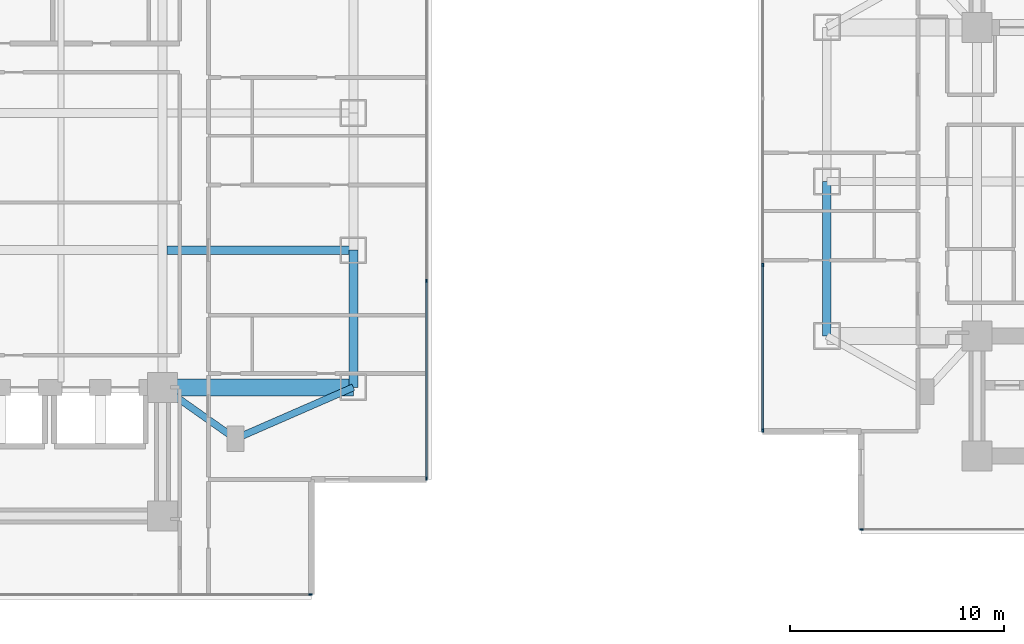
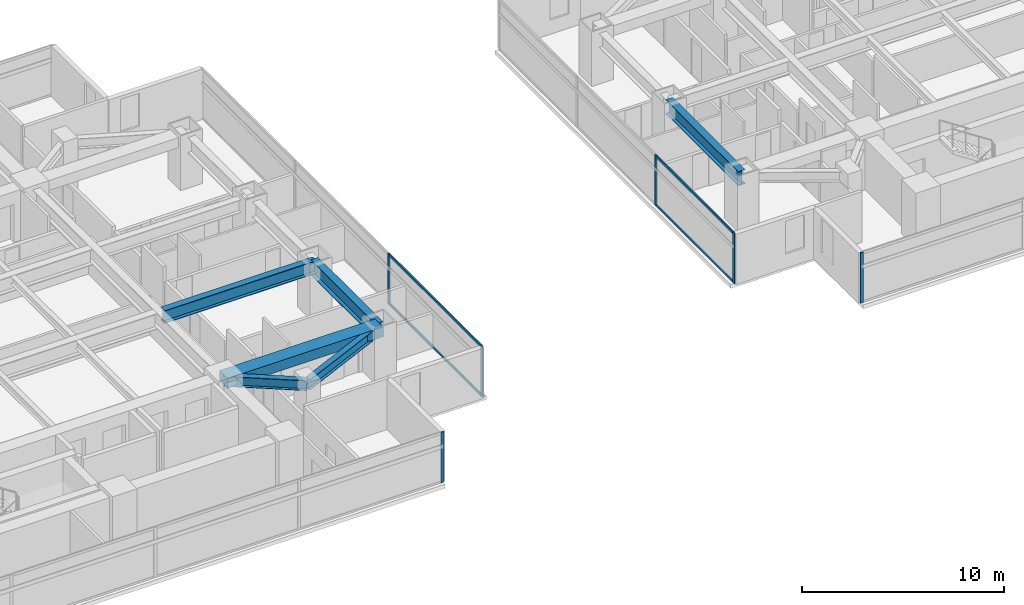
# One storey, part 5 of 25: 10 members, 6 beams, 4 elements without a shape of their own.
"""IFC4 building model written with IfcOpenShell, lengths in metres."""

from ifc_helpers import new_model, si_unit, direction, frame, origin, origin_2d, place, context, subcontext, project, spatial, rectangle, i_section, extrude, material, material_profile, profile_set, type_object, element, aggregate, save


model = new_model("IFC4")

# Units and contexts
model_context = context("Model", 3, precision=1e-05, world=origin(), true_north=direction((0.0, 1.0)))
body_context = subcontext(model_context, "Body", "Model", "MODEL_VIEW")
ifc_project = project(units=[si_unit("LENGTHUNIT", "METRE"), si_unit("AREAUNIT", "SQUARE_METRE"), si_unit("VOLUMEUNIT", "CUBIC_METRE"), si_unit("PLANEANGLEUNIT", "RADIAN"), si_unit("MASSUNIT", "GRAM", prefix="KILO")], contexts=[model_context])

# Site, building, storey
site_placement = place(None, origin())
site = spatial("IfcSite", under=ifc_project, at=site_placement, CompositionType="ELEMENT")
building_placement = place(site_placement, origin())
building = spatial("IfcBuilding", under=site, at=building_placement, Name="Mirazonda Arch Towers", CompositionType="ELEMENT")
storey_placement = place(building_placement, frame((0.0, 0.0, 32.300048828125)))
storey = spatial("IfcBuildingStorey", under=building, at=storey_placement, Name="L08", CompositionType="ELEMENT", Elevation=32.300048828125)

# Beams
ifc_material_1 = material(Name="Steel ASTM A992 Grade 50", Category="steel")
ifc_material_profile_1 = material_profile(ifc_material_1, i_section(OverallWidth=0.39990234375, OverallDepth=0.85595703125, WebThickness=0.018310546875, FlangeThickness=0.029296875, at=origin_2d()), Name="W33X201")
ifc_profile_set_1 = profile_set([ifc_material_profile_1], Name="Steel ASTM A992 Grade 50")
beam_type_1 = type_object("IfcBeamType", Name="BM-EXT-W33X201", PredefinedType="USERDEFINED", material=ifc_profile_set_1)
beam_1_placement = place(storey_placement, frame((61.0, 20.800048828125, 2.6318359375), z_axis=(0.0, 1.0, 0.0), x_axis=(-1.0, 0.0, 0.0)))
element("IfcBeam", 1, at=beam_1_placement, inside=storey, type_object=beam_type_1, Name="L08 Floor Beam BM-T2-L08-NS-W-20", ObjectType="GIRDER", PredefinedType="USERDEFINED", context=body_context, shape_type="SweptSolid", body=[
    extrude(i_section(OverallWidth=0.39990234375, OverallDepth=0.85595703125, WebThickness=0.018310546875, FlangeThickness=0.029296875, at=origin_2d()), origin(), (0.0, 0.0, 1.0), 7.199951171875),
])
ifc_material_profile_2 = material_profile(ifc_material_1, i_section(OverallWidth=0.41796875, OverallDepth=0.927001953125, WebThickness=0.019287109375, FlangeThickness=0.031982421875, at=origin_2d()), Name="W36X231")
ifc_profile_set_2 = profile_set([ifc_material_profile_2], Name="Steel ASTM A992 Grade 50")
beam_type_2 = type_object("IfcBeamType", Name="BM-EXT-W36X231", PredefinedType="USERDEFINED", material=ifc_profile_set_2)
beam_2_placement = place(storey_placement, frame((38.89990234375, 18.39990234375, 2.596435546875), z_axis=(0.0, 1.0, 0.0), x_axis=(-1.0, 0.0, 0.0)))
element("IfcBeam", 2, at=beam_2_placement, inside=storey, type_object=beam_type_2, Name="L08 Floor Beam BM-T1-L08-NS-E-18", ObjectType="GIRDER", PredefinedType="USERDEFINED", context=body_context, shape_type="SweptSolid", body=[
    extrude(i_section(OverallWidth=0.41796875, OverallDepth=0.927001953125, WebThickness=0.019287109375, FlangeThickness=0.031982421875, at=origin_2d()), origin(), (0.0, 0.0, 1.0), 6.400146484375),
])
ifc_material_profile_3 = material_profile(ifc_material_1, i_section(OverallWidth=0.324951171875, OverallDepth=0.615966796875, WebThickness=0.013916015625, FlangeThickness=0.021484375, at=origin_2d()), Name="W24X117")
ifc_profile_set_3 = profile_set([ifc_material_profile_3], Name="Steel ASTM A992 Grade 50")
beam_type_3 = type_object("IfcBeamType", Name="BM-INT-W24X117", PredefinedType="BEAM", material=ifc_profile_set_3)
beam_3_placement = place(storey_placement, frame((33.39990234375, 16.0, 2.751953125), z_axis=(-0.816971114901, 0.576678591087, 0.0), x_axis=(-0.576678591087, -0.816971114901, 0.0)))
element("IfcBeam", 3, at=beam_3_placement, inside=storey, type_object=beam_type_3, Name="L08 Floor Beam BM-T1-L08-PL-SE1", PredefinedType="BEAM", context=body_context, shape_type="SweptSolid", body=[
    extrude(i_section(OverallWidth=0.324951171875, OverallDepth=0.615966796875, WebThickness=0.013916015625, FlangeThickness=0.021484375, at=origin_2d()), origin(), (0.0, 0.0, 1.0), 4.16162109375),
])
beam_4_placement = place(storey_placement, frame((33.39990234375, 16.0, 2.751953125), z_axis=(0.916545343703, 0.399930785183, 0.0), x_axis=(-0.399930785183, 0.916545343703, 0.0)))
element("IfcBeam", 4, at=beam_4_placement, inside=storey, type_object=beam_type_3, Name="L08 Floor Beam BM-T1-L08-PL-SE2", PredefinedType="BEAM", context=body_context, shape_type="SweptSolid", body=[
    extrude(i_section(OverallWidth=0.324951171875, OverallDepth=0.615966796875, WebThickness=0.013916015625, FlangeThickness=0.021484375, at=origin_2d()), origin(), (0.0, 0.0, 1.0), 6.000732421875),
])
ifc_material_profile_4 = material_profile(ifc_material_1, i_section(OverallWidth=0.381103515625, OverallDepth=0.77294921875, WebThickness=0.0166015625, FlangeThickness=0.027099609375, at=origin_2d()), Name="W30X173")
ifc_profile_set_4 = profile_set([ifc_material_profile_4], Name="Steel ASTM A992 Grade 50")
beam_type_4 = type_object("IfcBeamType", Name="BM-INT-W30X173", PredefinedType="USERDEFINED", material=ifc_profile_set_4)
beam_5_placement = place(storey_placement, frame((30.21142578125, 24.800048828125, 2.67333984375), z_axis=(1.0, 0.0, 0.0), x_axis=(0.0, 1.0, 0.0)))
element("IfcBeam", 5, at=beam_5_placement, inside=storey, type_object=beam_type_4, Name="L08 Floor Beam BM-T1-L08-GE2", ObjectType="GIRDER", PredefinedType="USERDEFINED", context=body_context, shape_type="SweptSolid", body=[
    extrude(i_section(OverallWidth=0.381103515625, OverallDepth=0.77294921875, WebThickness=0.0166015625, FlangeThickness=0.027099609375, at=origin_2d()), origin(), (0.0, 0.0, 1.0), 8.6884765625),
])
ifc_material_2 = material(Name="Concrete C60/75", Category="concrete")
ifc_material_profile_5 = material_profile(ifc_material_2, rectangle(XDim=0.800048828125, YDim=0.60009765625, at=origin_2d()), Name="RCCB800x600")
ifc_profile_set_5 = profile_set([ifc_material_profile_5], Name="Concrete C60/75")
beam_type_5 = type_object("IfcBeamType", Name="CB-INT-RCCB800x600", PredefinedType="SPANDREL", material=ifc_profile_set_5)
beam_6_placement = place(storey_placement, frame((30.0, 18.39990234375, 2.760009765625), z_axis=(1.0, 0.0, 0.0), x_axis=(0.0, 1.0, 0.0)))
element("IfcBeam", 6, at=beam_6_placement, inside=storey, type_object=beam_type_5, Name="L08 Floor Beam CBC-T1-L08-SE", PredefinedType="SPANDREL", context=body_context, shape_type="SweptSolid", body=[
    extrude(rectangle(XDim=0.800048828125, YDim=0.60009765625, at=origin_2d()), origin(), (0.0, 0.0, 1.0), 8.89990234375),
])

# Curtain wall, member
ifc_material_3 = material(Name="Anodised Aluminium and Low-E Glass", Category="aluminium")
curtain_wall_type = type_object("IfcCurtainWallType", Name="CW-HTL-UNIT", PredefinedType="NOTDEFINED", material=ifc_material_3)
curtain_wall_1_placement = place(storey_placement, origin())
curtain_wall_1 = element("IfcCurtainWall", 7, at=curtain_wall_1_placement, inside=storey, type_object=curtain_wall_type, Name="L08 T1 S Facade CW-L08-T1-S", PredefinedType="NOTDEFINED")
ifc_material_4 = material(Name="Anodised Aluminium Alloy", Category="aluminium")
ifc_material_profile_6 = material_profile(ifc_material_4, rectangle(XDim=0.074951171875, YDim=0.1650390625, at=origin_2d()), Name="ALU-MULL-75x165")
ifc_profile_set_6 = profile_set([ifc_material_profile_6], Name="Anodised Aluminium Alloy")
member_type_1 = type_object("IfcMemberType", Name="MULL-CW-HTL-UNIT", PredefinedType="MULLION", material=ifc_profile_set_6)
member_1_placement = place(storey_placement, frame((36.902587890625, 8.72607421875, 0.0), z_axis=(0.0, 0.0, 1.0), x_axis=(0.0, -1.0, 0.0)))
member_1 = element("IfcMember", 8, at=member_1_placement, type_object=member_type_1, Name="CW-112 mullion 1", PredefinedType="MULLION", context=body_context, shape_type="SweptSolid", body=[
    extrude(rectangle(XDim=0.074951171875, YDim=0.1650390625, at=origin_2d()), origin(), (0.0, 0.0, 1.0), 3.0400390625),
])
aggregate(curtain_wall_1, [member_1])

# Curtain wall, members
curtain_wall_2_placement = place(storey_placement, origin())
curtain_wall_2 = element("IfcCurtainWall", 9, at=curtain_wall_2_placement, inside=storey, type_object=curtain_wall_type, Name="L08 T1 E Facade CW-L08-T1-E", PredefinedType="NOTDEFINED")
member_2_placement = place(storey_placement, frame((42.320068359375, 14.1435546875, 0.0), z_axis=(0.0, 0.0, 1.0), x_axis=(-1.0, 0.0, 0.0)))
member_2 = element("IfcMember", 10, at=member_2_placement, type_object=member_type_1, Name="CW-112 mullion 1", PredefinedType="MULLION", context=body_context, shape_type="SweptSolid", body=[
    extrude(rectangle(XDim=0.074951171875, YDim=0.1650390625, at=origin_2d()), origin(), (0.0, 0.0, 1.0), 3.0400390625),
])
member_3_placement = place(storey_placement, frame((42.320068359375, 23.36865234375, 0.0), z_axis=(0.0, 0.0, 1.0), x_axis=(-1.0, 0.0, 0.0)))
member_3 = element("IfcMember", 11, at=member_3_placement, type_object=member_type_1, Name="CW-112 mullion 2", PredefinedType="MULLION", context=body_context, shape_type="SweptSolid", body=[
    extrude(rectangle(XDim=0.074951171875, YDim=0.1650390625, at=origin_2d()), origin(), (0.0, 0.0, 1.0), 3.0400390625),
])

# Curtain wall, member
curtain_wall_3_placement = place(storey_placement, origin())
curtain_wall_3 = element("IfcCurtainWall", 12, at=curtain_wall_3_placement, inside=storey, type_object=curtain_wall_type, Name="L08 T2 S Facade CW-L08-T2-S", PredefinedType="NOTDEFINED")
member_4_placement = place(storey_placement, frame((62.62353515625, 11.77001953125, 0.0), z_axis=(0.0, 0.0, 1.0), x_axis=(0.0, -1.0, 0.0)))
member_4 = element("IfcMember", 13, at=member_4_placement, type_object=member_type_1, Name="CW-112 mullion 4", PredefinedType="MULLION", context=body_context, shape_type="SweptSolid", body=[
    extrude(rectangle(XDim=0.074951171875, YDim=0.1650390625, at=origin_2d()), origin(), (0.0, 0.0, 1.0), 3.0400390625),
])
aggregate(curtain_wall_3, [member_4])

# Curtain wall, members
curtain_wall_4_placement = place(storey_placement, origin())
curtain_wall_4 = element("IfcCurtainWall", 14, at=curtain_wall_4_placement, inside=storey, type_object=curtain_wall_type, Name="L08 T2 W Facade CW-L08-T2-W", PredefinedType="NOTDEFINED")
member_5_placement = place(storey_placement, frame((58.006103515625, 24.11669921875, 0.0), z_axis=(0.0, 0.0, 1.0), x_axis=(1.0, 0.0, 0.0)))
member_5 = element("IfcMember", 15, at=member_5_placement, type_object=member_type_1, Name="CW-112 mullion 3", PredefinedType="MULLION", context=body_context, shape_type="SweptSolid", body=[
    extrude(rectangle(XDim=0.074951171875, YDim=0.1650390625, at=origin_2d()), origin(), (0.0, 0.0, 1.0), 3.0400390625),
])
member_6_placement = place(storey_placement, frame((58.006103515625, 16.3876953125, 0.0), z_axis=(0.0, 0.0, 1.0), x_axis=(1.0, 0.0, 0.0)))
member_6 = element("IfcMember", 16, at=member_6_placement, type_object=member_type_1, Name="CW-112 mullion 4", PredefinedType="MULLION", context=body_context, shape_type="SweptSolid", body=[
    extrude(rectangle(XDim=0.074951171875, YDim=0.1650390625, at=origin_2d()), origin(), (0.0, 0.0, 1.0), 3.0400390625),
])

# Member
ifc_material_profile_7 = material_profile(ifc_material_4, rectangle(XDim=0.074951171875, YDim=0.14501953125, at=origin_2d()), Name="ALU-TRAN-75x145")
ifc_profile_set_7 = profile_set([ifc_material_profile_7], Name="Anodised Aluminium Alloy")
member_type_2 = type_object("IfcMemberType", Name="TRAN-CW-HTL-UNIT", PredefinedType="USERDEFINED", material=ifc_profile_set_7)
member_7_placement = place(storey_placement, frame((42.320068359375, 14.180908203125, 0.037353515625), z_axis=(0.0, 1.0, 0.0), x_axis=(-1.0, 0.0, 0.0)))
member_7 = element("IfcMember", 17, at=member_7_placement, type_object=member_type_2, Name="CW-112 transom 1.1", ObjectType="TRANSOM", PredefinedType="USERDEFINED", context=body_context, shape_type="SweptSolid", body=[
    extrude(rectangle(XDim=0.074951171875, YDim=0.14501953125, at=origin_2d()), origin(), (0.0, 0.0, 1.0), 9.150146484375),
])

member_8_placement = place(storey_placement, frame((42.320068359375, 14.180908203125, 3.00244140625), z_axis=(0.0, 1.0, 0.0), x_axis=(-1.0, 0.0, 0.0)))
member_8 = element("IfcMember", 18, at=member_8_placement, type_object=member_type_2, Name="CW-112 transom 1.2", ObjectType="TRANSOM", PredefinedType="USERDEFINED", context=body_context, shape_type="SweptSolid", body=[
    extrude(rectangle(XDim=0.074951171875, YDim=0.14501953125, at=origin_2d()), origin(), (0.0, 0.0, 1.0), 9.150146484375),
])

aggregate(curtain_wall_2, [member_2, member_3, member_7, member_8])

member_9_placement = place(storey_placement, frame((58.006103515625, 24.0791015625, 0.037353515625), z_axis=(0.0, -1.0, 0.0), x_axis=(1.0, 0.0, 0.0)))
member_9 = element("IfcMember", 19, at=member_9_placement, type_object=member_type_2, Name="CW-112 transom 3.1", ObjectType="TRANSOM", PredefinedType="USERDEFINED", context=body_context, shape_type="SweptSolid", body=[
    extrude(rectangle(XDim=0.074951171875, YDim=0.14501953125, at=origin_2d()), origin(), (0.0, 0.0, 1.0), 7.654052734375),
])

member_10_placement = place(storey_placement, frame((58.006103515625, 24.0791015625, 3.00244140625), z_axis=(0.0, -1.0, 0.0), x_axis=(1.0, 0.0, 0.0)))
member_10 = element("IfcMember", 20, at=member_10_placement, type_object=member_type_2, Name="CW-112 transom 3.2", ObjectType="TRANSOM", PredefinedType="USERDEFINED", context=body_context, shape_type="SweptSolid", body=[
    extrude(rectangle(XDim=0.074951171875, YDim=0.14501953125, at=origin_2d()), origin(), (0.0, 0.0, 1.0), 7.654052734375),
])

aggregate(curtain_wall_4, [member_5, member_6, member_9, member_10])

save(model, "model.ifc")
